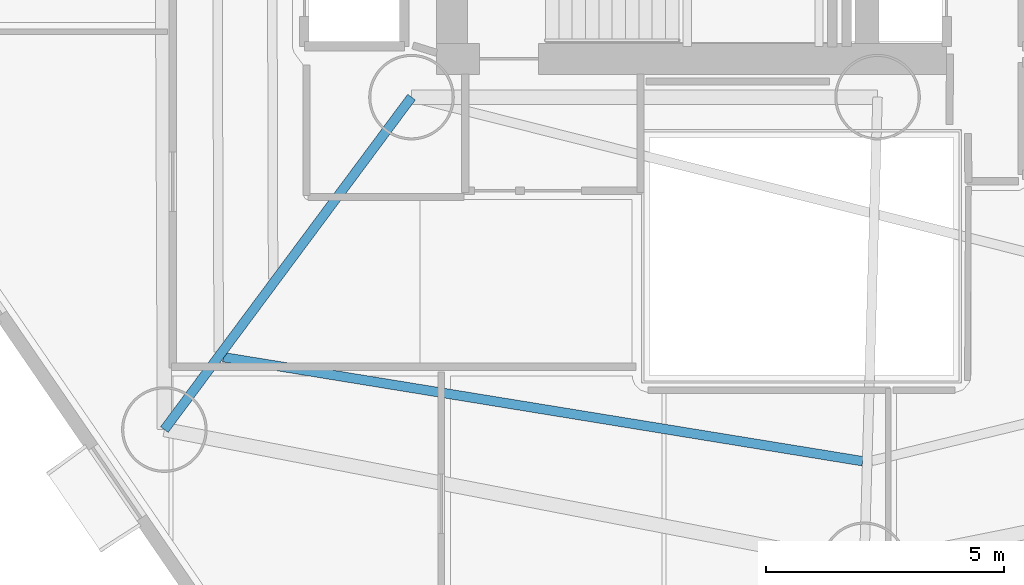
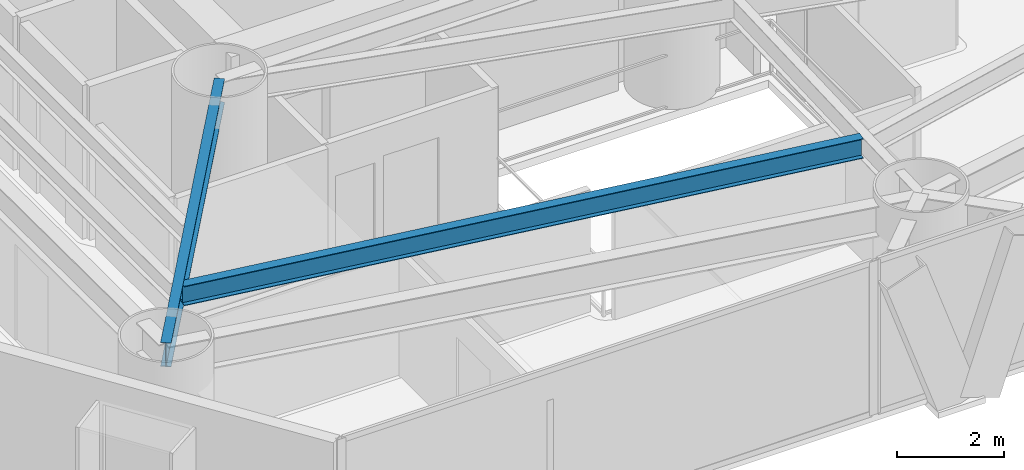
# One storey, part 3 of 22: 2 beams.
"""IFC4 building model written with IfcOpenShell, lengths in metres."""

from ifc_helpers import new_model, si_unit, direction, frame, origin, origin_2d, place, context, subcontext, project, spatial, i_section, extrude, material, material_profile, profile_set, type_object, element, save


model = new_model("IFC4")

# Units and contexts
model_context = context("Model", 3, precision=1e-05, world=origin(), true_north=direction((0.0, 1.0)))
body_context = subcontext(model_context, "Body", "Model", "MODEL_VIEW")
ifc_project = project(units=[si_unit("LENGTHUNIT", "METRE"), si_unit("AREAUNIT", "SQUARE_METRE"), si_unit("VOLUMEUNIT", "CUBIC_METRE"), si_unit("PLANEANGLEUNIT", "RADIAN"), si_unit("MASSUNIT", "GRAM", prefix="KILO")], contexts=[model_context])

# Site, building, storey
site_placement = place(None, origin())
site = spatial("IfcSite", under=ifc_project, at=site_placement, CompositionType="ELEMENT")
building_placement = place(site_placement, origin())
building = spatial("IfcBuilding", under=site, at=building_placement, Name="Qianvela Tower", CompositionType="ELEMENT")
storey_placement = place(building_placement, frame((0.0, 0.0, 40.5)))
storey = spatial("IfcBuildingStorey", under=building, at=storey_placement, Name="L09", CompositionType="ELEMENT", Elevation=40.5)

# Beams
ifc_material_1 = material(Name="Steel Q355B", Category="steel")
ifc_material_profile_1 = material_profile(ifc_material_1, i_section(OverallWidth=0.199951171875, OverallDepth=0.449951171875, WebThickness=0.009033203125, FlangeThickness=0.013916015625, at=origin_2d()), Name="HN450x200x9x14")
ifc_profile_set_1 = profile_set([ifc_material_profile_1], Name="Steel Q355B")
beam_type_1 = type_object("IfcBeamType", Name="BM-HN450-JOIST", PredefinedType="JOIST", material=ifc_profile_set_1)
beam_1_placement = place(storey_placement, frame((24.641845703125, 18.38232421875, 3.29296875), z_axis=(0.987021609832, -0.160587489316, 0.0), x_axis=(0.160587489316, 0.987021609832, 0.0)))
element("IfcBeam", 1, at=beam_1_placement, inside=storey, type_object=beam_type_1, Name="L09 Secondary Composite Floor Joist 5.3", PredefinedType="JOIST", context=body_context, shape_type="SweptSolid", body=[
    extrude(i_section(OverallWidth=0.199951171875, OverallDepth=0.449951171875, WebThickness=0.009033203125, FlangeThickness=0.013916015625, at=origin_2d()), origin(), (0.0, 0.0, 1.0), 13.621826171875),
])
ifc_material_2 = material(Name="Steel Q355B", Category="steel")
ifc_material_profile_2 = material_profile(ifc_material_2, i_section(OverallWidth=0.199951171875, OverallDepth=0.550048828125, WebThickness=0.010009765625, FlangeThickness=0.01611328125, at=origin_2d()), Name="HN550x200x10x16")
ifc_profile_set_2 = profile_set([ifc_material_profile_2], Name="Steel Q355B")
beam_type_2 = type_object("IfcBeamType", Name="BM-HN550-GIRD", PredefinedType="BEAM", material=ifc_profile_set_2)
beam_2_placement = place(storey_placement, frame((28.60009765625, 23.85009765625, 3.242919921875), z_axis=(-0.596581498031, -0.802552500593, 0.0), x_axis=(0.802552500593, -0.596581498031, 0.0)))
element("IfcBeam", 2, at=beam_2_placement, inside=storey, type_object=beam_type_2, Name="L09 Radial Primary Floor Girder 5", PredefinedType="BEAM", context=body_context, shape_type="SweptSolid", body=[
    extrude(i_section(OverallWidth=0.199951171875, OverallDepth=0.550048828125, WebThickness=0.010009765625, FlangeThickness=0.01611328125, at=origin_2d()), origin(), (0.0, 0.0, 1.0), 8.709716796875),
])

save(model, "model.ifc")
